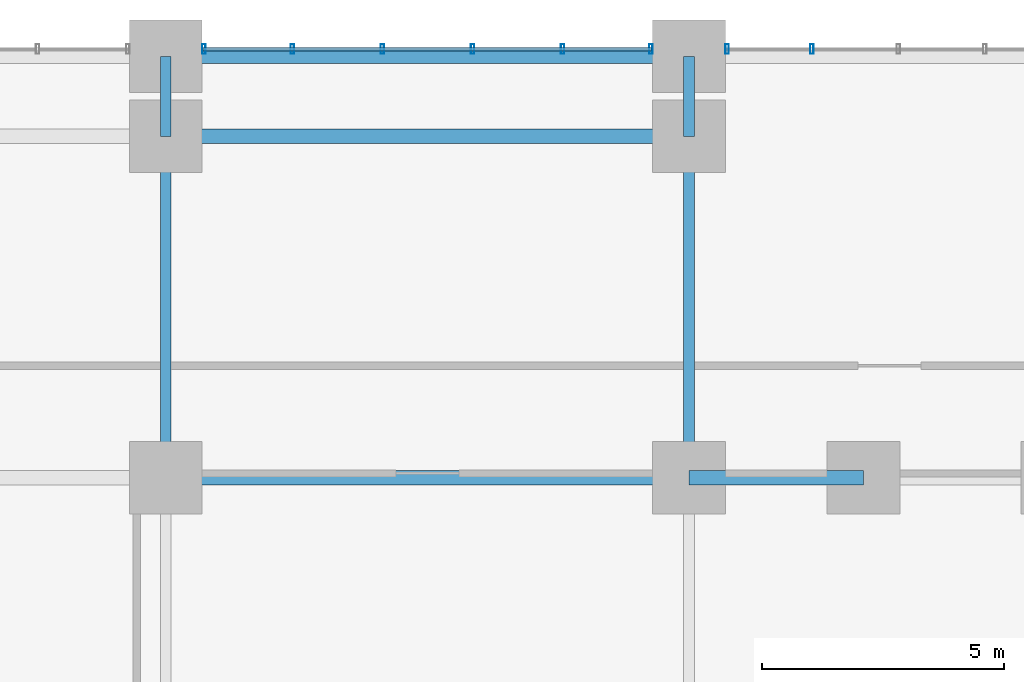
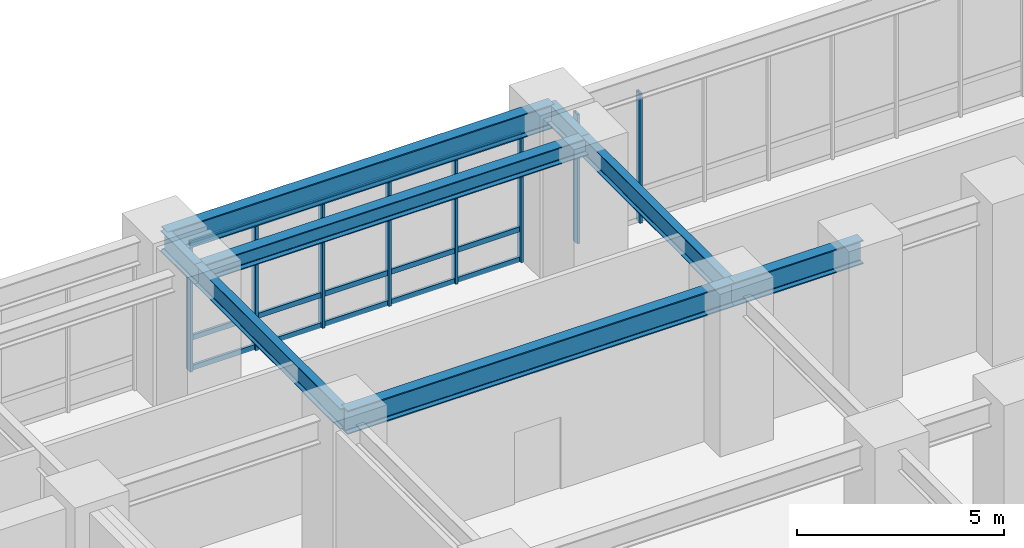
# One storey, part 8 of 22: 11 members, 8 beams, 2 elements without a shape of their own.
"""IFC4 building model written with IfcOpenShell, lengths in metres."""

import ifcopenshell
import ifcopenshell.guid

model = None  # the IFC model being written
_history = None  # IfcOwnerHistory: only IFC2X3 demands one
_inside = {}  # id of a spatial element -> (the spatial element, [elements in it])
_under = {}  # id of a project, library or spatial element -> (it, [spatial elements below it])
_declared = {}  # id of a project -> (the project, [libraries it declares])
_typed = {}  # id of a type object -> (the type object, [elements of that type])
_made_of = {}  # id of a material, layer set ... -> (it, [elements and type objects made of it])


def new_model(schema):
    """Start an empty IFC model of exactly this schema.

    Asked for "IFC4X3", IfcOpenShell would pick the latest addendum, in which some entities
    have other attributes; the version numbers below select the first issue.
    IFC2X3 requires an IfcOwnerHistory on every rooted entity: one is made here for all.
    """
    global model, _history
    if schema == "IFC4X3":
        model = ifcopenshell.file(schema_version=(4, 3, 0, 0))
    else:
        model = ifcopenshell.file(schema=schema)
    _inside.clear()
    _under.clear()
    _declared.clear()
    _typed.clear()
    _made_of.clear()
    _history = None
    if model.schema == "IFC2X3":
        org = make("IfcOrganization", Name="unknown")
        user = make(
            "IfcPersonAndOrganization",
            ThePerson=make("IfcPerson", FamilyName="unknown"),
            TheOrganization=org,
        )
        app = make(
            "IfcApplication",
            ApplicationDeveloper=org,
            Version="unknown",
            ApplicationFullName="unknown",
            ApplicationIdentifier="unknown",
        )
        _history = make(
            "IfcOwnerHistory",
            OwningUser=user,
            OwningApplication=app,
            ChangeAction="ADDED",
            CreationDate=0,
        )
    return model


def make(cls, **values):
    """One entity of the class cls with the attributes given. An attribute that is None is left unset."""
    return model.create_entity(
        cls, **{name: value for name, value in values.items() if value is not None}
    )


def rooted(cls, **values):
    """An entity with a GlobalId (a new one), such as an element, a storey or a relation."""
    return make(cls, GlobalId=ifcopenshell.guid.new(), OwnerHistory=_history, **values)


def si_unit(unit_type, name, prefix=None):
    """IfcSIUnit, for example si_unit("LENGTHUNIT", "METRE", prefix="MILLI")."""
    return make("IfcSIUnit", UnitType=unit_type, Prefix=prefix, Name=name)


def assignment(units):
    """IfcUnitAssignment: the units of a project."""
    return None if units is None else make("IfcUnitAssignment", Units=units)


def point(xyz):
    """IfcCartesianPoint."""
    return None if xyz is None else make("IfcCartesianPoint", Coordinates=xyz)


def direction(xyz):
    """IfcDirection."""
    return None if xyz is None else make("IfcDirection", DirectionRatios=xyz)


def frame(location, z_axis=None, x_axis=None):
    """IfcAxis2Placement3D, a coordinate frame: its origin and axes. An axis left out is left unset."""
    return make(
        "IfcAxis2Placement3D",
        Location=point(location),
        Axis=direction(z_axis),
        RefDirection=direction(x_axis),
    )


def frame_2d(location, x_axis=None):
    """IfcAxis2Placement2D, a coordinate frame in the plane: its origin and x axis."""
    return make(
        "IfcAxis2Placement2D", Location=point(location), RefDirection=direction(x_axis)
    )


def origin():
    """The frame at (0, 0, 0) with its axes left unset."""
    return frame((0.0, 0.0, 0.0))


def origin_2d():
    """The frame at (0, 0) in the plane with its x axis left unset."""
    return frame_2d((0.0, 0.0))


def place(relative_to, where):
    """IfcLocalPlacement: puts the frame where relative to a parent placement (None: the world)."""
    return make(
        "IfcLocalPlacement", PlacementRelTo=relative_to, RelativePlacement=where
    )


def context(
    kind, dimensions, precision=None, world=None, true_north=None, identifier=None
):
    """IfcGeometricRepresentationContext, for example the 3D "Model" context."""
    return make(
        "IfcGeometricRepresentationContext",
        ContextIdentifier=identifier,
        ContextType=kind,
        CoordinateSpaceDimension=dimensions,
        Precision=precision,
        WorldCoordinateSystem=world,
        TrueNorth=true_north,
    )


def subcontext(parent, identifier, kind, view, scale=None):
    """IfcGeometricRepresentationSubContext, for example "Body" below "Model"."""
    return make(
        "IfcGeometricRepresentationSubContext",
        ContextIdentifier=identifier,
        ContextType=kind,
        ParentContext=parent,
        TargetScale=scale,
        TargetView=view,
    )


def project(units=None, contexts=None):
    """IfcProject with its units and contexts."""
    return rooted(
        "IfcProject",
        Name="project",
        RepresentationContexts=contexts,
        UnitsInContext=assignment(units),
    )


def spatial(cls, under=None, at=None, **own):
    """A site, building, storey or space (cls), placed at a placement, below another one or the project."""
    s = rooted(cls, ObjectPlacement=at, **own)
    if under is not None:
        _under.setdefault(under.id(), (under, []))[1].append(s)
    return s


def profile(cls, at=None, kind="AREA", **sizes):
    """A parametric profile (cls). Its sizes go by their IFC names, for example OverallWidth=200.0."""
    return make(cls, ProfileType=kind, Position=at, **sizes)


def hollow_rectangle(**sizes):
    """IfcRectangleHollowProfileDef."""
    return profile("IfcRectangleHollowProfileDef", **sizes)


def i_section(**sizes):
    """IfcIShapeProfileDef."""
    return profile("IfcIShapeProfileDef", **sizes)


def extrude(swept, where, along, depth):
    """IfcExtrudedAreaSolid: the profile swept, set in the frame where, extruded along a direction by depth."""
    return make(
        "IfcExtrudedAreaSolid",
        SweptArea=swept,
        Position=where,
        ExtrudedDirection=direction(along),
        Depth=depth,
    )


def shape(context_of_items, identifier, shape_type, items):
    """IfcShapeRepresentation: the items that make up one representation, for example the "Body"."""
    return make(
        "IfcShapeRepresentation",
        ContextOfItems=context_of_items,
        RepresentationIdentifier=identifier,
        RepresentationType=shape_type,
        Items=items,
    )


def source(mapping_origin, context_of_items, identifier, shape_type, items):
    """IfcRepresentationMap: a shape defined once, which mapped items show again and again."""
    return make(
        "IfcRepresentationMap",
        MappingOrigin=mapping_origin,
        MappedRepresentation=shape(context_of_items, identifier, shape_type, items),
    )


def transform(
    local_origin,
    x_axis=None,
    y_axis=None,
    z_axis=None,
    scale=None,
    scale2=None,
    scale3=None,
    uniform=True,
):
    """IfcCartesianTransformationOperator3D, or its non-uniform kind. x_axis, y_axis, z_axis: its Axis1, 2, 3."""
    if uniform:
        return make(
            "IfcCartesianTransformationOperator3D",
            Axis1=direction(x_axis),
            Axis2=direction(y_axis),
            LocalOrigin=point(local_origin),
            Scale=scale,
            Axis3=direction(z_axis),
        )
    return make(
        "IfcCartesianTransformationOperator3DnonUniform",
        Axis1=direction(x_axis),
        Axis2=direction(y_axis),
        LocalOrigin=point(local_origin),
        Scale=scale,
        Axis3=direction(z_axis),
        Scale2=scale2,
        Scale3=scale3,
    )


def mapped(mapping_source, mapping_target):
    """IfcMappedItem: shows the shape of a source again, moved by a transform."""
    return make(
        "IfcMappedItem", MappingSource=mapping_source, MappingTarget=mapping_target
    )


def material(Name=None, Category=None):
    """IfcMaterial."""
    return make("IfcMaterial", Name=Name, Category=Category)


def layer(
    of_material, thickness, ventilated=None, Name=None, Category=None, Priority=None
):
    """IfcMaterialLayer: one layer of a wall or slab, of a material (None: an air gap)."""
    return make(
        "IfcMaterialLayer",
        Material=of_material,
        LayerThickness=thickness,
        IsVentilated=ventilated,
        Name=Name,
        Category=Category,
        Priority=Priority,
    )


def layer_set(layers, Name=None):
    """IfcMaterialLayerSet."""
    return make("IfcMaterialLayerSet", MaterialLayers=layers, LayerSetName=Name)


def material_profile(
    of_material, cross_section, Name=None, Category=None, Priority=None
):
    """IfcMaterialProfile: a cross section and its material."""
    return make(
        "IfcMaterialProfile",
        Name=Name,
        Material=of_material,
        Profile=cross_section,
        Priority=Priority,
        Category=Category,
    )


def profile_set(profiles, Name=None, composite=None):
    """IfcMaterialProfileSet."""
    return make(
        "IfcMaterialProfileSet",
        Name=Name,
        MaterialProfiles=profiles,
        CompositeProfile=composite,
    )


def made_of(thing, what):
    """Note that an element or type object is made of a material, layer set ...; save() writes the relation."""
    if what is not None:
        _made_of.setdefault(what.id(), (what, []))[1].append(thing)
    return thing


def type_object(cls, material=None, **own):
    """A type object (cls), such as IfcWallType, which elements share."""
    return made_of(rooted(cls, **own), material)


def element(
    cls,
    number,
    at=None,
    inside=None,
    cuts=None,
    type_object=None,
    material=None,
    context=None,
    identifier="Body",
    shape_type=None,
    held_by="IfcProductDefinitionShape",
    body=None,
    shapes=None,
    **own,
):
    """One element of the class cls, such as IfcWall. Its Tag is "e" and its number.

    at: its placement. inside: the storey or other place that contains it. cuts: it is an
    opening in that element (IfcRelVoidsElement). A single representation is given by context,
    identifier, shape_type and body (its items); several are given by shapes. held_by: the class
    of the entity that holds the representations. save() writes the other relations.
    """
    e = rooted(cls, Tag="e%d" % number, ObjectPlacement=at, **own)
    if body is not None:
        shapes = [shape(context, identifier, shape_type, body)]
    if shapes is not None:
        e.Representation = make(held_by, Representations=shapes)
    if inside is not None:
        _inside.setdefault(inside.id(), (inside, []))[1].append(e)
    if cuts is not None:
        rooted(
            "IfcRelVoidsElement", RelatingBuildingElement=cuts, RelatedOpeningElement=e
        )
    if type_object is not None:
        _typed.setdefault(type_object.id(), (type_object, []))[1].append(e)
    return made_of(e, material)


def aggregate(whole, parts):
    """IfcRelAggregates: a whole, such as a stair, and the parts it consists of."""
    return rooted("IfcRelAggregates", RelatingObject=whole, RelatedObjects=parts)


def save(model, path):
    """Write the relations noted so far, then the file.

    IfcRelAggregates (storeys below a building ...), IfcRelContainedInSpatialStructure (elements
    in a storey), IfcRelDefinesByType, IfcRelAssociatesMaterial and IfcRelDeclares: one each for
    every whole, place, type object, material and project.
    """
    for whole, parts in _under.values():
        aggregate(whole, parts)
    for where, things in _inside.values():
        rooted(
            "IfcRelContainedInSpatialStructure",
            RelatedElements=things,
            RelatingStructure=where,
        )
    for kind, things in _typed.values():
        rooted("IfcRelDefinesByType", RelatedObjects=things, RelatingType=kind)
    for what, things in _made_of.values():
        rooted("IfcRelAssociatesMaterial", RelatedObjects=things, RelatingMaterial=what)
    for by, libraries in _declared.values():
        rooted("IfcRelDeclares", RelatingContext=by, RelatedDefinitions=libraries)
    model.write(path)


model = new_model("IFC4")

# Units and contexts
model_context = context("Model", 3, precision=1e-05, world=origin(), true_north=direction((0.0, 1.0)))
body_context = subcontext(model_context, "Body", "Model", "MODEL_VIEW")
ifc_project = project(units=[si_unit("LENGTHUNIT", "METRE"), si_unit("AREAUNIT", "SQUARE_METRE"), si_unit("VOLUMEUNIT", "CUBIC_METRE"), si_unit("PLANEANGLEUNIT", "RADIAN"), si_unit("MASSUNIT", "GRAM", prefix="KILO")], contexts=[model_context])

# Site, building, storey
site_placement = place(None, origin())
site = spatial("IfcSite", under=ifc_project, at=site_placement, CompositionType="ELEMENT")
building_placement = place(site_placement, origin())
building = spatial("IfcBuilding", under=site, at=building_placement, Name="Kaliganga Portal Commons", CompositionType="ELEMENT")
storey_placement = place(building_placement, frame((0.0, 0.0, 10.199951171875)))
storey = spatial("IfcBuildingStorey", under=building, at=storey_placement, Name="L02", CompositionType="ELEMENT", Elevation=10.199951171875)

# Beams
ifc_material_1 = material(Name="Structural steel S355J2", Category="steel")
ifc_material_profile_1 = material_profile(ifc_material_1, i_section(OverallWidth=0.300048828125, OverallDepth=0.699951171875, WebThickness=0.01708984375, FlangeThickness=0.031982421875, FilletRadius=0.027099609375, at=origin_2d()), Name="HE 700 B")
ifc_profile_set_1 = profile_set([ifc_material_profile_1], Name="Structural steel S355J2 wide-flange")
beam_type_1 = type_object("IfcBeamType", Name="BM-GIRD-700", PredefinedType="USERDEFINED", material=ifc_profile_set_1)
shared_shape_1 = source(origin(), body_context, "Body", "SweptSolid", [
    extrude(i_section(OverallWidth=0.300048828125, OverallDepth=0.699951171875, WebThickness=0.01708984375, FlangeThickness=0.031982421875, FilletRadius=0.027099609375, at=origin_2d()), origin(), (0.0, 0.0, 1.0), 10.800048828125),
])
for number, where, z_axis, x_axis, name in (
    (1, (36.0, 36.14990234375, 4.170166015625), (1.0, 0.0, 0.0), (0.0, 1.0, 0.0), "BM G L02 WAE_N 2"),
    (2, (36.0, 44.85009765625, 4.170166015625), (1.0, 0.0, 0.0), (0.0, 1.0, 0.0), "BM PODP L02 N44 4"),
):
    element("IfcBeam", number, at=place(storey_placement, frame(where, z_axis=z_axis, x_axis=x_axis)), inside=storey, type_object=beam_type_1, Name=name, ObjectType="GIRDER", PredefinedType="USERDEFINED", context=body_context, shape_type="MappedRepresentation", body=[
        mapped(shared_shape_1, transform((0.0, 0.0, 0.0), x_axis=(1.0, 0.0, 0.0), y_axis=(0.0, 1.0, 0.0), z_axis=(0.0, 0.0, 1.0), scale=1.0)),
    ])
ifc_material_profile_2 = material_profile(ifc_material_1, i_section(OverallWidth=0.219970703125, OverallDepth=0.60009765625, WebThickness=0.011962890625, FlangeThickness=0.01904296875, FilletRadius=0.02392578125, at=origin_2d()), Name="IPE 600")
ifc_profile_set_2 = profile_set([ifc_material_profile_2], Name="Structural steel S355J2 wide-flange")
beam_type_2 = type_object("IfcBeamType", Name="BM-FLR-600", PredefinedType="BEAM", material=ifc_profile_set_2)
shared_shape_2 = source(origin(), body_context, "Body", "SweptSolid", [
    extrude(i_section(OverallWidth=0.219970703125, OverallDepth=0.60009765625, WebThickness=0.011962890625, FlangeThickness=0.01904296875, FilletRadius=0.02392578125, at=origin_2d()), origin(), (0.0, 0.0, 1.0), 7.050048828125),
])
for number, where, z_axis, x_axis, name in (
    (3, (36.0, 36.14990234375, 4.219970703125), (0.0, 1.0, 0.0), (-1.0, 0.0, 0.0), "BM G L02 AN360"),
    (4, (46.800048828125, 36.14990234375, 4.219970703125), (0.0, 1.0, 0.0), (-1.0, 0.0, 0.0), "BM G L02 AN468"),
):
    element("IfcBeam", number, at=place(storey_placement, frame(where, z_axis=z_axis, x_axis=x_axis)), inside=storey, type_object=beam_type_2, Name=name, PredefinedType="BEAM", context=body_context, shape_type="MappedRepresentation", body=[
        mapped(shared_shape_2, transform((0.0, 0.0, 0.0), x_axis=(1.0, 0.0, 0.0), y_axis=(0.0, 1.0, 0.0), z_axis=(0.0, 0.0, 1.0), scale=1.0)),
    ])
shared_shape_3 = source(origin(), body_context, "Body", "SweptSolid", [
    extrude(i_section(OverallWidth=0.300048828125, OverallDepth=0.699951171875, WebThickness=0.01708984375, FlangeThickness=0.031982421875, FilletRadius=0.027099609375, at=origin_2d()), origin(), (0.0, 0.0, 1.0), 3.599853515625),
])
beam_1_placement = place(storey_placement, frame((46.800048828125, 36.14990234375, 4.170166015625), z_axis=(1.0, 0.0, 0.0), x_axis=(0.0, 1.0, 0.0)))
element("IfcBeam", 5, at=beam_1_placement, inside=storey, type_object=beam_type_1, Name="BM G L02 BKE362 1", ObjectType="GIRDER", PredefinedType="USERDEFINED", context=body_context, shape_type="MappedRepresentation", body=[
    mapped(shared_shape_3, transform((0.0, 0.0, 0.0), x_axis=(1.0, 0.0, 0.0), y_axis=(0.0, 1.0, 0.0), z_axis=(0.0, 0.0, 1.0), scale=1.0)),
])
shared_shape_4 = source(origin(), body_context, "Body", "SweptSolid", [
    extrude(i_section(OverallWidth=0.219970703125, OverallDepth=0.60009765625, WebThickness=0.011962890625, FlangeThickness=0.01904296875, FilletRadius=0.02392578125, at=origin_2d()), origin(), (0.0, 0.0, 1.0), 1.650146484375),
])
for number, where, z_axis, x_axis, name in (
    (6, (36.0, 43.199951171875, 4.219970703125), (0.0, 1.0, 0.0), (-1.0, 0.0, 0.0), "BM PODP L02 NT36"),
    (7, (46.800048828125, 43.199951171875, 4.219970703125), (0.0, 1.0, 0.0), (-1.0, 0.0, 0.0), "BM PODP L02 NT46"),
):
    element("IfcBeam", number, at=place(storey_placement, frame(where, z_axis=z_axis, x_axis=x_axis)), inside=storey, type_object=beam_type_2, Name=name, PredefinedType="BEAM", context=body_context, shape_type="MappedRepresentation", body=[
        mapped(shared_shape_4, transform((0.0, 0.0, 0.0), x_axis=(1.0, 0.0, 0.0), y_axis=(0.0, 1.0, 0.0), z_axis=(0.0, 0.0, 1.0), scale=1.0)),
    ])
ifc_material_profile_3 = material_profile(ifc_material_1, i_section(OverallWidth=0.300048828125, OverallDepth=0.5, WebThickness=0.014404296875, FlangeThickness=0.028076171875, FilletRadius=0.027099609375, at=origin_2d()), Name="HE 500 B")
ifc_profile_set_3 = profile_set([ifc_material_profile_3], Name="Structural steel S355J2 wide-flange")
beam_type_3 = type_object("IfcBeamType", Name="BM-SPAND-500", PredefinedType="SPANDREL", material=ifc_profile_set_3)
shared_shape_5 = source(origin(), body_context, "Body", "SweptSolid", [
    extrude(i_section(OverallWidth=0.300048828125, OverallDepth=0.5, WebThickness=0.014404296875, FlangeThickness=0.028076171875, FilletRadius=0.027099609375, at=origin_2d()), origin(), (0.0, 0.0, 1.0), 10.800048828125),
])
beam_2_placement = place(storey_placement, frame((36.0, 43.199951171875, 4.27001953125), z_axis=(1.0, 0.0, 0.0), x_axis=(0.0, 1.0, 0.0)))
element("IfcBeam", 8, at=beam_2_placement, inside=storey, type_object=beam_type_3, Name="BM SP L02 AN 4", PredefinedType="SPANDREL", context=body_context, shape_type="MappedRepresentation", body=[
    mapped(shared_shape_5, transform((0.0, 0.0, 0.0), x_axis=(1.0, 0.0, 0.0), y_axis=(0.0, 1.0, 0.0), z_axis=(0.0, 0.0, 1.0), scale=1.0)),
])

# Curtain wall, members
ifc_material_2 = material(Name="Anodized Aluminium and Laminated Low-E Glass", Category="aluminium")
ifc_layer = layer(ifc_material_2, 0.219970703125)
ifc_layer_set = layer_set([ifc_layer], Name="Anodized Aluminium and Laminated Low-E Glass")
curtain_wall_type = type_object("IfcCurtainWallType", Name="CW-SYS-01", PredefinedType="NOTDEFINED", material=ifc_layer_set)
curtain_wall_1_placement = place(storey_placement, origin())
curtain_wall_1 = element("IfcCurtainWall", 9, at=curtain_wall_1_placement, inside=storey, type_object=curtain_wall_type, Name="CW 01 L02 P1E02S4", PredefinedType="NOTDEFINED")
ifc_material_3 = material(Name="Dark Bronze Anodized Aluminium", Category="aluminium")
ifc_material_profile_4 = material_profile(ifc_material_3, hollow_rectangle(XDim=0.070068359375, YDim=0.14990234375, WallThickness=0.00341796875, at=origin_2d()), Name="ALU TRAN 70x150x3.5")
ifc_profile_set_4 = profile_set([ifc_material_profile_4], Name="Dark Bronze Anodized Aluminium")
member_type_1 = type_object("IfcMemberType", Name="CW-TRN-150", PredefinedType="USERDEFINED", material=ifc_profile_set_4)
shared_shape_6 = source(origin(), body_context, "Body", "SweptSolid", [
    extrude(hollow_rectangle(XDim=0.070068359375, YDim=0.14990234375, WallThickness=0.00341796875, at=origin_2d()), origin(), (0.0, 0.0, 1.0), 9.258056640625),
])
member_1_placement = place(storey_placement, frame((46.029052734375, 45.0, 0.06005859375), z_axis=(-1.0, 0.0, 0.0), x_axis=(0.0, -1.0, 0.0)))
member_1 = element("IfcMember", 10, at=member_1_placement, type_object=member_type_1, Name="CW:01:L02:P1E02S4 Transom 1", ObjectType="TRANSOM", PredefinedType="USERDEFINED", context=body_context, shape_type="MappedRepresentation", body=[
    mapped(shared_shape_6, transform((0.0, 0.0, 0.0), x_axis=(1.0, 0.0, 0.0), y_axis=(0.0, 1.0, 0.0), z_axis=(0.0, 0.0, 1.0), scale=1.0)),
])
member_2_placement = place(storey_placement, frame((46.029052734375, 45.0, 0.949951171875), z_axis=(-1.0, 0.0, 0.0), x_axis=(0.0, -1.0, 0.0)))
member_2 = element("IfcMember", 11, at=member_2_placement, type_object=member_type_1, Name="CW:01:L02:P1E02S4 Transom 2", ObjectType="TRANSOM", PredefinedType="USERDEFINED", context=body_context, shape_type="MappedRepresentation", body=[
    mapped(shared_shape_6, transform((0.0, 0.0, 0.0), x_axis=(1.0, 0.0, 0.0), y_axis=(0.0, 1.0, 0.0), z_axis=(0.0, 0.0, 1.0), scale=1.0)),
])
member_3_placement = place(storey_placement, frame((46.029052734375, 45.0, 3.739990234375), z_axis=(-1.0, 0.0, 0.0), x_axis=(0.0, -1.0, 0.0)))
member_3 = element("IfcMember", 12, at=member_3_placement, type_object=member_type_1, Name="CW:01:L02:P1E02S4 Transom 3", ObjectType="TRANSOM", PredefinedType="USERDEFINED", context=body_context, shape_type="MappedRepresentation", body=[
    mapped(shared_shape_6, transform((0.0, 0.0, 0.0), x_axis=(1.0, 0.0, 0.0), y_axis=(0.0, 1.0, 0.0), z_axis=(0.0, 0.0, 1.0), scale=1.0)),
])

curtain_wall_2_placement = place(storey_placement, origin())
curtain_wall_2 = element("IfcCurtainWall", 13, at=curtain_wall_2_placement, inside=storey, type_object=curtain_wall_type, Name="CW 01 L02 P1E02S3", PredefinedType="NOTDEFINED")
ifc_material_profile_5 = material_profile(ifc_material_3, hollow_rectangle(XDim=0.070068359375, YDim=0.199951171875, WallThickness=0.00390625, at=origin_2d()), Name="ALU MULL 70x200x4")
ifc_profile_set_5 = profile_set([ifc_material_profile_5], Name="Dark Bronze Anodized Aluminium")
member_type_2 = type_object("IfcMemberType", Name="CW-MUL-220", PredefinedType="MULLION", material=ifc_profile_set_5)
shared_shape_7 = source(origin(), body_context, "Body", "SweptSolid", [
    extrude(hollow_rectangle(XDim=0.070068359375, YDim=0.199951171875, WallThickness=0.00390625, at=origin_2d()), origin(), (0.0, 0.0, 1.0), 3.820068359375),
])
member_4_placement = place(storey_placement, frame((49.33642578125, 45.0, 0.0), z_axis=(0.0, 0.0, 1.0), x_axis=(-1.0, 0.0, 0.0)))
member_4 = element("IfcMember", 14, at=member_4_placement, type_object=member_type_2, Name="CW:01:L02:P1E02S3 Mullion 06", PredefinedType="MULLION", context=body_context, shape_type="MappedRepresentation", body=[
    mapped(shared_shape_7, transform((0.0, 0.0, 0.0), x_axis=(1.0, 0.0, 0.0), y_axis=(0.0, 1.0, 0.0), z_axis=(0.0, 0.0, 1.0), scale=1.0)),
])
member_5_placement = place(storey_placement, frame((47.5859375, 45.0, 0.0), z_axis=(0.0, 0.0, 1.0), x_axis=(-1.0, 0.0, 0.0)))
member_5 = element("IfcMember", 15, at=member_5_placement, type_object=member_type_2, Name="CW:01:L02:P1E02S3 Mullion 07", PredefinedType="MULLION", context=body_context, shape_type="MappedRepresentation", body=[
    mapped(shared_shape_7, transform((0.0, 0.0, 0.0), x_axis=(1.0, 0.0, 0.0), y_axis=(0.0, 1.0, 0.0), z_axis=(0.0, 0.0, 1.0), scale=1.0)),
])
aggregate(curtain_wall_2, [member_4, member_5])

# Member
member_6_placement = place(storey_placement, frame((46.013916015625, 45.0, 0.0), z_axis=(0.0, 0.0, 1.0), x_axis=(-1.0, 0.0, 0.0)))
member_6 = element("IfcMember", 16, at=member_6_placement, type_object=member_type_2, Name="CW:01:L02:P1E02S4 Mullion 00", PredefinedType="MULLION", context=body_context, shape_type="MappedRepresentation", body=[
    mapped(shared_shape_7, transform((0.0, 0.0, 0.0), x_axis=(1.0, 0.0, 0.0), y_axis=(0.0, 1.0, 0.0), z_axis=(0.0, 0.0, 1.0), scale=1.0)),
])

member_7_placement = place(storey_placement, frame((44.189453125, 45.0, 0.0), z_axis=(0.0, 0.0, 1.0), x_axis=(-1.0, 0.0, 0.0)))
member_7 = element("IfcMember", 17, at=member_7_placement, type_object=member_type_2, Name="CW:01:L02:P1E02S4 Mullion 01", PredefinedType="MULLION", context=body_context, shape_type="MappedRepresentation", body=[
    mapped(shared_shape_7, transform((0.0, 0.0, 0.0), x_axis=(1.0, 0.0, 0.0), y_axis=(0.0, 1.0, 0.0), z_axis=(0.0, 0.0, 1.0), scale=1.0)),
])

member_8_placement = place(storey_placement, frame((42.329833984375, 45.0, 0.0), z_axis=(0.0, 0.0, 1.0), x_axis=(-1.0, 0.0, 0.0)))
member_8 = element("IfcMember", 18, at=member_8_placement, type_object=member_type_2, Name="CW:01:L02:P1E02S4 Mullion 02", PredefinedType="MULLION", context=body_context, shape_type="MappedRepresentation", body=[
    mapped(shared_shape_7, transform((0.0, 0.0, 0.0), x_axis=(1.0, 0.0, 0.0), y_axis=(0.0, 1.0, 0.0), z_axis=(0.0, 0.0, 1.0), scale=1.0)),
])

member_9_placement = place(storey_placement, frame((40.47021484375, 45.0, 0.0), z_axis=(0.0, 0.0, 1.0), x_axis=(-1.0, 0.0, 0.0)))
member_9 = element("IfcMember", 19, at=member_9_placement, type_object=member_type_2, Name="CW:01:L02:P1E02S4 Mullion 03", PredefinedType="MULLION", context=body_context, shape_type="MappedRepresentation", body=[
    mapped(shared_shape_7, transform((0.0, 0.0, 0.0), x_axis=(1.0, 0.0, 0.0), y_axis=(0.0, 1.0, 0.0), z_axis=(0.0, 0.0, 1.0), scale=1.0)),
])

member_10_placement = place(storey_placement, frame((38.610595703125, 45.0, 0.0), z_axis=(0.0, 0.0, 1.0), x_axis=(-1.0, 0.0, 0.0)))
member_10 = element("IfcMember", 20, at=member_10_placement, type_object=member_type_2, Name="CW:01:L02:P1E02S4 Mullion 04", PredefinedType="MULLION", context=body_context, shape_type="MappedRepresentation", body=[
    mapped(shared_shape_7, transform((0.0, 0.0, 0.0), x_axis=(1.0, 0.0, 0.0), y_axis=(0.0, 1.0, 0.0), z_axis=(0.0, 0.0, 1.0), scale=1.0)),
])

member_11_placement = place(storey_placement, frame((36.785888671875, 45.0, 0.0), z_axis=(0.0, 0.0, 1.0), x_axis=(-1.0, 0.0, 0.0)))
member_11 = element("IfcMember", 21, at=member_11_placement, type_object=member_type_2, Name="CW:01:L02:P1E02S4 Mullion 05", PredefinedType="MULLION", context=body_context, shape_type="MappedRepresentation", body=[
    mapped(shared_shape_7, transform((0.0, 0.0, 0.0), x_axis=(1.0, 0.0, 0.0), y_axis=(0.0, 1.0, 0.0), z_axis=(0.0, 0.0, 1.0), scale=1.0)),
])

aggregate(curtain_wall_1, [member_6, member_7, member_8, member_9, member_10, member_11, member_1, member_2, member_3])

save(model, "model.ifc")
